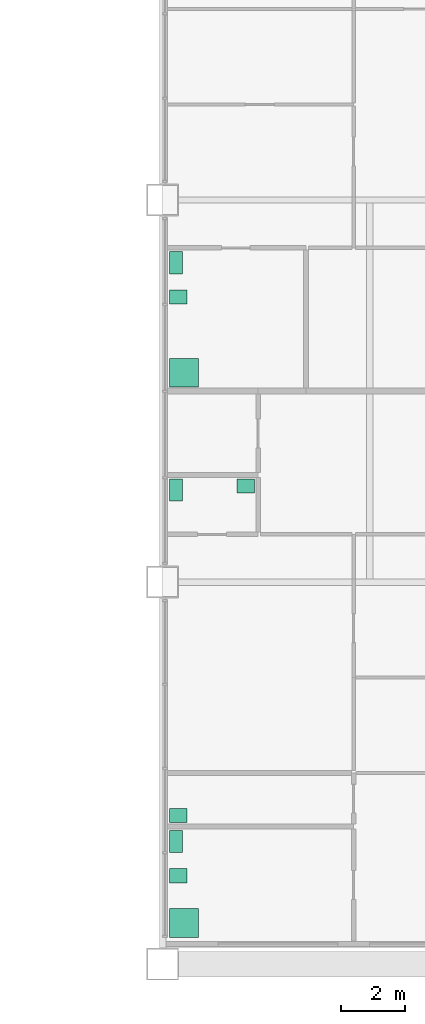
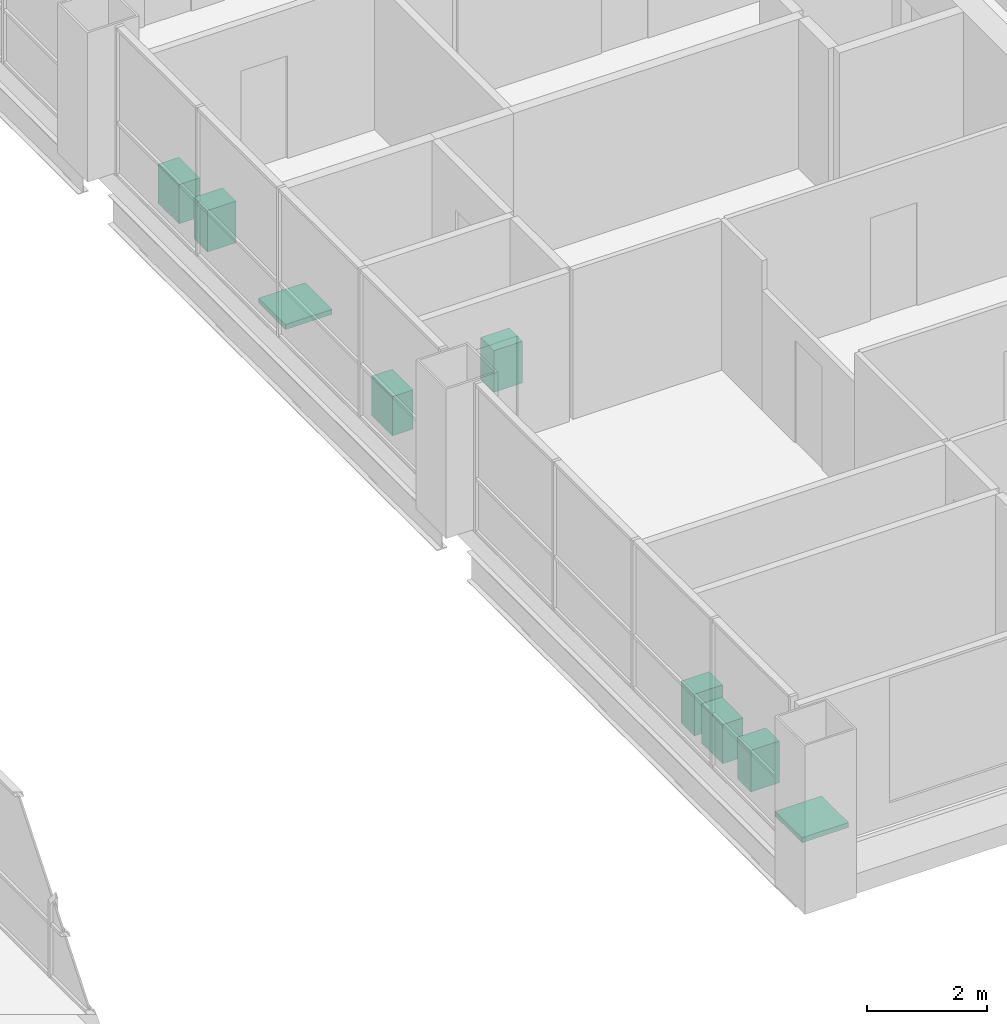
# One storey, part 12 of 12: 9 sanitary terminals.
"""IFC4 building model written with IfcOpenShell, lengths in metres."""

from ifc_helpers import new_model, si_unit, direction, frame, origin, origin_2d, place, context, subcontext, project, spatial, rectangle, extrude, material, type_object, element, save


model = new_model("IFC4")

# Units and contexts
model_context = context("Model", 3, precision=1e-05, world=origin(), true_north=direction((0.0, 1.0)))
body_context = subcontext(model_context, "Body", "Model", "MODEL_VIEW")
ifc_project = project(units=[si_unit("LENGTHUNIT", "METRE"), si_unit("AREAUNIT", "SQUARE_METRE"), si_unit("VOLUMEUNIT", "CUBIC_METRE"), si_unit("PLANEANGLEUNIT", "RADIAN"), si_unit("MASSUNIT", "GRAM", prefix="KILO")], contexts=[model_context])

# Site, building, storey
site_placement = place(None, origin())
site = spatial("IfcSite", under=ifc_project, at=site_placement, CompositionType="ELEMENT")
building_placement = place(site_placement, origin())
building = spatial("IfcBuilding", under=site, at=building_placement, Name="Kitamizu Gate Tower and Museum", CompositionType="ELEMENT")
storey_placement = place(building_placement, frame((0.0, 0.0, 255.89990234375)))
storey = spatial("IfcBuildingStorey", under=building, at=storey_placement, Name="L69", CompositionType="ELEMENT", Elevation=255.89990234375)

# Sanitary terminals
ifc_material_1 = material(Name="Acrylic")
sanitary_terminal_type_1 = type_object("IfcSanitaryTerminalType", Name="Shower tray", PredefinedType="SHOWER", material=ifc_material_1)
for number, where, z_axis, x_axis, name in (
    (1, (36.669921875, 13.2900390625, 0.0009765625), (0.0, 0.0, 1.0), (1.0, 0.0, 0.0), "Shower tray En-suite bathroom 69C"),
    (2, (36.669921875, 30.570068359375, 0.0009765625), (0.0, 0.0, 1.0), (1.0, 0.0, 0.0), "Shower tray En-suite bathroom and WC 69D"),
):
    element("IfcSanitaryTerminal", number, at=place(storey_placement, frame(where, z_axis=z_axis, x_axis=x_axis)), inside=storey, type_object=sanitary_terminal_type_1, Name=name, PredefinedType="SHOWER", context=body_context, shape_type="SweptSolid", body=[
        extrude(rectangle(XDim=0.89990234375, YDim=0.89990234375, at=origin_2d()), origin(), (0.0, 0.0, 1.0), 0.10009765625),
    ])
ifc_material_2 = material(Name="Vitreous china")
sanitary_terminal_type_2 = type_object("IfcSanitaryTerminalType", Name="Wash hand basin", PredefinedType="WASHHANDBASIN", material=ifc_material_2)
for number, where, z_axis, x_axis, name in (
    (3, (36.4951171875, 14.77490234375, 0.0009765625), (0.0, 0.0, 1.0), (1.0, 0.0, 0.0), "Wash hand basin En-suite bathroom 69C"),
    (4, (36.4951171875, 16.6650390625, 0.0009765625), (0.0, 0.0, 1.0), (1.0, 0.0, 0.0), "Wash hand basin Wash room 69C"),
    (5, (38.60498046875, 27.01708984375, 0.0009765625), (0.0, 0.0, 1.0), (1.0, 0.0, 0.0), "Wash hand basin WC 69C"),
    (6, (36.4951171875, 32.955078125, 0.0009765625), (0.0, 0.0, 1.0), (1.0, 0.0, 0.0), "Wash hand basin En-suite bathroom and WC 69D"),
):
    element("IfcSanitaryTerminal", number, at=place(storey_placement, frame(where, z_axis=z_axis, x_axis=x_axis)), inside=storey, type_object=sanitary_terminal_type_2, Name=name, PredefinedType="WASHHANDBASIN", context=body_context, shape_type="SweptSolid", body=[
        extrude(rectangle(XDim=0.550048828125, YDim=0.449951171875, at=origin_2d()), origin(), (0.0, 0.0, 1.0), 0.85009765625),
    ])
ifc_material_3 = material(Name="Vitreous china")
sanitary_terminal_type_3 = type_object("IfcSanitaryTerminalType", Name="Water closet", PredefinedType="TOILETPAN", material=ifc_material_3)
for number, where, z_axis, x_axis, name in (
    (7, (36.419921875, 15.85009765625, 0.0009765625), (0.0, 0.0, 1.0), (1.0, 0.0, 0.0), "Water closet En-suite bathroom 69C"),
    (8, (36.419921875, 26.89208984375, 0.0009765625), (0.0, 0.0, 1.0), (1.0, 0.0, 0.0), "Water closet WC 69C"),
    (9, (36.419921875, 34.030029296875, 0.0009765625), (0.0, 0.0, 1.0), (1.0, 0.0, 0.0), "Water closet En-suite bathroom and WC 69D"),
):
    element("IfcSanitaryTerminal", number, at=place(storey_placement, frame(where, z_axis=z_axis, x_axis=x_axis)), inside=storey, type_object=sanitary_terminal_type_3, Name=name, PredefinedType="TOILETPAN", context=body_context, shape_type="SweptSolid", body=[
        extrude(rectangle(XDim=0.39990234375, YDim=0.699951171875, at=origin_2d()), origin(), (0.0, 0.0, 1.0), 0.800048828125),
    ])

save(model, "model.ifc")
